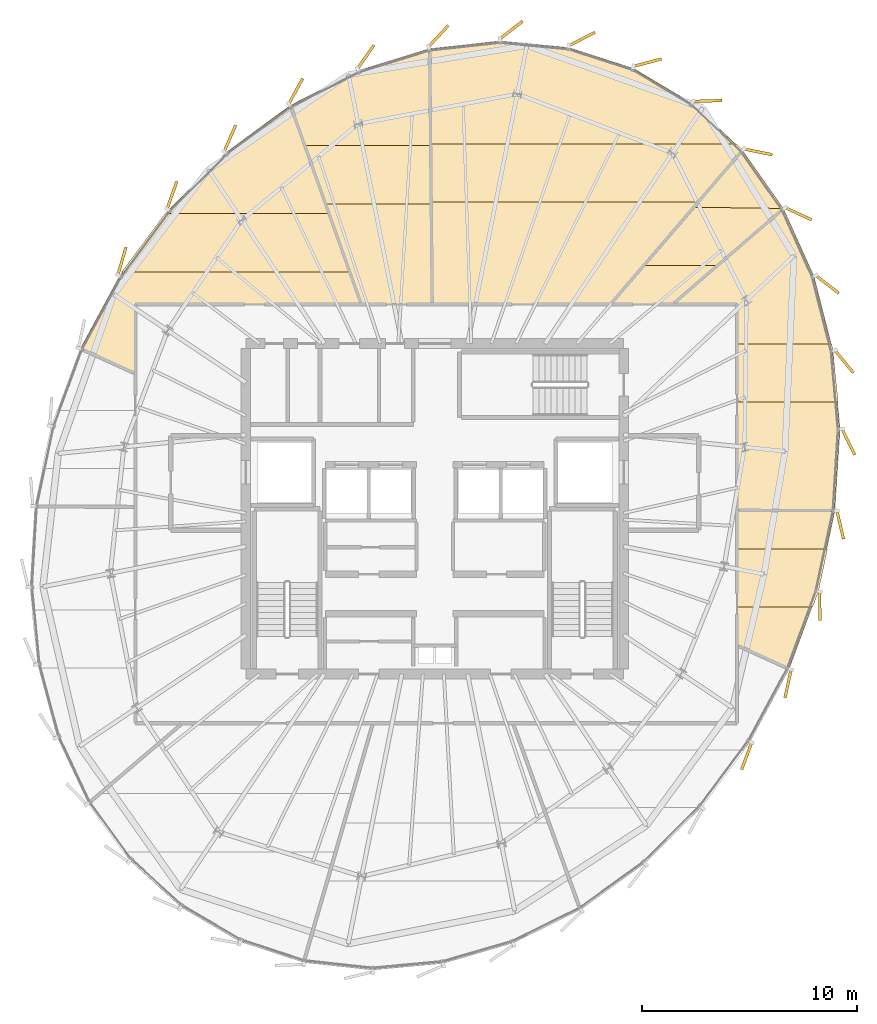
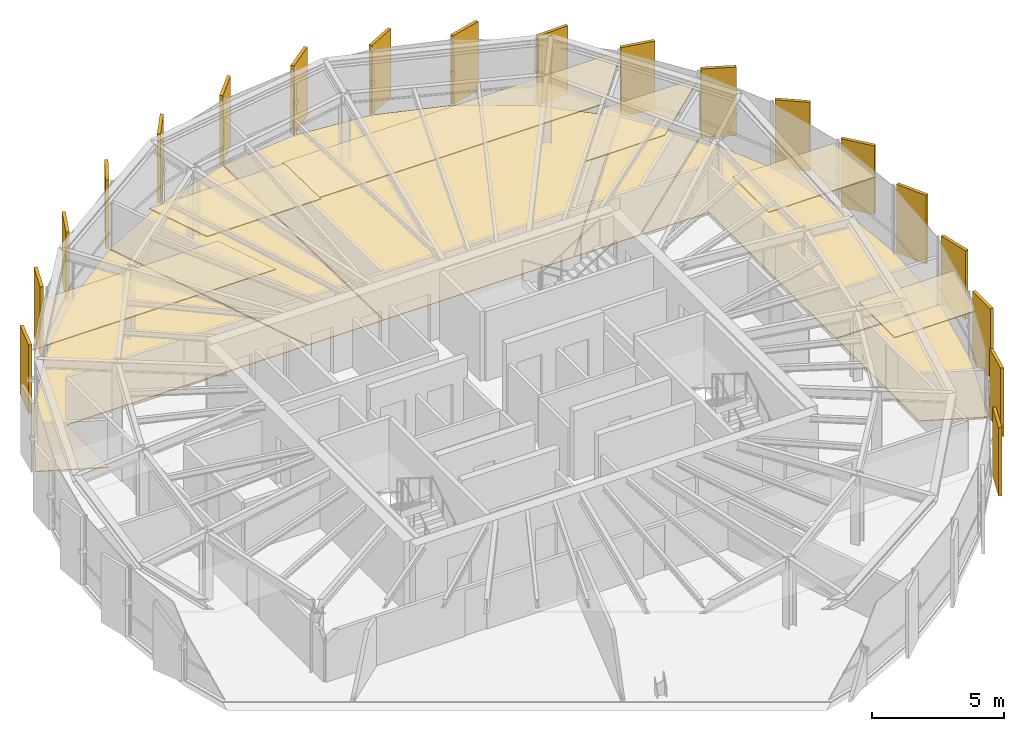
# One storey, part 30 of 30: 31 coverings.
"""IFC4 building model written with IfcOpenShell, lengths in metres."""

from ifc_helpers import new_model, si_unit, direction, frame, origin, origin_2d, place, context, subcontext, project, spatial, polyline, rectangle, outline, extrude, source, transform, mapped, material, layer, layer_set, type_object, element, save


model = new_model("IFC4")

# Units and contexts
model_context = context("Model", 3, precision=1e-05, world=origin(), true_north=direction((0.0, 1.0)))
body_context = subcontext(model_context, "Body", "Model", "MODEL_VIEW")
ifc_project = project(units=[si_unit("LENGTHUNIT", "METRE"), si_unit("AREAUNIT", "SQUARE_METRE"), si_unit("VOLUMEUNIT", "CUBIC_METRE"), si_unit("PLANEANGLEUNIT", "RADIAN"), si_unit("MASSUNIT", "GRAM", prefix="KILO"), si_unit("THERMODYNAMICTEMPERATUREUNIT", "KELVIN")], contexts=[model_context])

# Site, building, storey
site_placement = place(None, origin())
site = spatial("IfcSite", under=ifc_project, at=site_placement, CompositionType="ELEMENT")
building_placement = place(site_placement, origin())
building = spatial("IfcBuilding", under=site, at=building_placement, Name="Kethvar Cultural Tower", CompositionType="ELEMENT")
storey_placement = place(building_placement, frame((0.0, 0.0, 297.39990234375)))
storey = spatial("IfcBuildingStorey", under=building, at=storey_placement, Name="L79", CompositionType="ELEMENT", Elevation=297.39990234375)

# Coverings
ifc_material_1 = material(Name="Acoustic Mineral Fibre Ceiling")
ifc_layer_1 = layer(ifc_material_1, 0.0400390625, Name="Acoustic Mineral Fibre Ceiling")
ifc_layer_set_1 = layer_set([ifc_layer_1], Name="Acoustic Mineral Fibre Ceiling (40 mm)")
covering_type_1 = type_object("IfcCoveringType", Name="CV-ACOUSTIC-CEIL", PredefinedType="CEILING", material=ifc_layer_set_1)
covering_1_placement = place(storey_placement, frame((0.0, 0.0, 2.780029296875)))
element("IfcCovering", 1, at=covering_1_placement, inside=storey, type_object=covering_type_1, Name="L79 Room 04 Acoustic Ceiling Panel", PredefinedType="CEILING", context=body_context, shape_type="SweptSolid", body=[
    extrude(outline(polyline([(64.6806640625, 23.948974609375), (64.4140625, 23.224609375), (60.867919921875, 23.224609375), (60.867919921875, 25.9345703125), (65.102294921875, 25.9345703125), (64.6806640625, 23.948974609375)])), origin(), (0.0, 0.0, 1.0), 0.0400390625),
])
covering_2_placement = place(storey_placement, frame((0.0, 0.0, 2.780029296875)))
element("IfcCovering", 2, at=covering_2_placement, inside=storey, type_object=covering_type_1, Name="L79 Room 05 Acoustic Ceiling Panel", PredefinedType="CEILING", context=body_context, shape_type="SweptSolid", body=[
    extrude(outline(polyline([(65.30859375, 35.483642578125), (65.60205078125, 32.773681640625), (60.867919921875, 32.773681640625), (60.867919921875, 35.483642578125), (65.30859375, 35.483642578125)])), origin(), (0.0, 0.0, 1.0), 0.0400390625),
])
covering_3_placement = place(storey_placement, frame((0.0, 0.0, 2.780029296875)))
element("IfcCovering", 3, at=covering_3_placement, inside=storey, type_object=covering_type_1, Name="L79 Room 06 Acoustic Ceiling Panel", PredefinedType="CEILING", context=body_context, shape_type="SweptSolid", body=[
    extrude(outline(polyline([(63.081787109375, 41.794921875), (60.01806640625, 39.13916015625), (56.5126953125, 39.13916015625), (58.84033203125, 41.84912109375), (63.081787109375, 41.794921875)])), origin(), (0.0, 0.0, 1.0), 0.0400390625),
])
covering_4_placement = place(storey_placement, frame((0.0, 0.0, 2.780029296875)))
element("IfcCovering", 4, at=covering_4_placement, inside=storey, type_object=covering_type_1, Name="L79 Room 07 Acoustic Ceiling Panel", PredefinedType="CEILING", context=body_context, shape_type="SweptSolid", body=[
    extrude(outline(polyline([(61.164794921875, 44.5205078125), (59.105712890625, 42.0966796875), (46.60302734375, 42.0966796875), (46.569580078125, 44.806640625), (60.859375, 44.806640625), (61.164794921875, 44.5205078125)])), origin(), (0.0, 0.0, 1.0), 0.0400390625),
])
covering_5_placement = place(storey_placement, frame((0.0, 0.0, 2.780029296875)))
element("IfcCovering", 5, at=covering_5_placement, inside=storey, type_object=covering_type_1, Name="L79 Room 08 Acoustic Ceiling Panel", PredefinedType="CEILING", context=body_context, shape_type="SweptSolid", body=[
    extrude(outline(polyline([(46.644287109375, 42.006103515625), (41.67333984375, 42.006103515625), (40.69970703125, 44.71630859375), (46.610595703125, 44.71630859375), (46.644287109375, 42.006103515625)])), origin(), (0.0, 0.0, 1.0), 0.0400390625),
])
covering_6_placement = place(storey_placement, frame((0.0, 0.0, 2.780029296875)))
element("IfcCovering", 6, at=covering_6_placement, inside=storey, type_object=covering_type_1, Name="L79 Room 09 Acoustic Ceiling Panel", PredefinedType="CEILING", context=body_context, shape_type="SweptSolid", body=[
    extrude(outline(polyline([(34.22900390625, 41.549072265625), (41.880126953125, 41.549072265625), (42.85400390625, 38.839111328125), (32.215087890625, 38.839111328125), (34.22900390625, 41.549072265625)])), origin(), (0.0, 0.0, 1.0), 0.0400390625),
])
ifc_material_2 = material(Name="Honed Warm Limestone", Category="masonry")
ifc_layer_2 = layer(ifc_material_2, 0.030029296875, Name="Honed Warm Limestone", Category="masonry")
ifc_layer_set_2 = layer_set([ifc_layer_2], Name="Honed Warm Limestone (30 mm)")
covering_type_2 = type_object("IfcCoveringType", Name="CV-STONE-FLOOR", PredefinedType="FLOORING", material=ifc_layer_set_2)
covering_7_placement = place(storey_placement, origin())
element("IfcCovering", 7, at=covering_7_placement, inside=storey, type_object=covering_type_2, Name="L79 Room 04 Floor Finish", PredefinedType="FLOORING", context=body_context, shape_type="SweptSolid", body=[
    extrude(outline(polyline([(64.642578125, 23.96142578125), (63.318603515625, 20.363525390625), (60.907958984375, 21.451904296875), (60.907958984375, 27.71044921875), (65.43359375, 27.68798828125), (64.642578125, 23.96142578125)])), origin(), (0.0, 0.0, 1.0), 0.030029296875),
])
covering_8_placement = place(storey_placement, origin())
element("IfcCovering", 8, at=covering_8_placement, inside=storey, type_object=covering_type_2, Name="L79 Room 05 Floor Finish", PredefinedType="FLOORING", context=body_context, shape_type="SweptSolid", body=[
    extrude(outline(polyline([(64.465087890625, 38.629638671875), (65.349609375, 35.1611328125), (65.676513671875, 31.482421875), (65.439453125, 27.72802734375), (60.907958984375, 27.75048828125), (60.906982421875, 37.3369140625), (57.938232421875, 37.35107421875), (63.057373046875, 41.752685546875), (64.465087890625, 38.629638671875)])), origin(), (0.0, 0.0, 1.0), 0.030029296875),
])
covering_9_placement = place(storey_placement, origin())
element("IfcCovering", 9, at=covering_9_placement, inside=storey, type_object=covering_type_2, Name="L79 Room 06 Floor Finish", PredefinedType="FLOORING", context=body_context, shape_type="SweptSolid", body=[
    extrude(outline(polyline([(63.03759765625, 41.78857421875), (57.876953125, 37.35107421875), (55.029541015625, 37.35107421875), (61.148193359375, 44.474853515625), (63.03759765625, 41.78857421875)])), origin(), (0.0, 0.0, 1.0), 0.030029296875),
])
covering_10_placement = place(storey_placement, origin())
element("IfcCovering", 10, at=covering_10_placement, inside=storey, type_object=covering_type_2, Name="L79 Room 07 Floor Finish", PredefinedType="FLOORING", context=body_context, shape_type="SweptSolid", body=[
    extrude(outline(polyline([(61.1220703125, 44.505859375), (54.976806640625, 37.35107421875), (46.701904296875, 37.35107421875), (46.5546875, 49.230712890625), (49.8427734375, 49.592529296875), (53.050048828125, 49.284912109375), (56.060791015625, 48.310302734375), (58.78271484375, 46.6962890625), (61.1220703125, 44.505859375)])), origin(), (0.0, 0.0, 1.0), 0.030029296875),
])
covering_11_placement = place(storey_placement, origin())
element("IfcCovering", 11, at=covering_11_placement, inside=storey, type_object=covering_type_2, Name="L79 Room 08 Floor Finish", PredefinedType="FLOORING", context=body_context, shape_type="SweptSolid", body=[
    extrude(outline(polyline([(43.2412109375, 48.212646484375), (46.514892578125, 49.2216796875), (46.661865234375, 37.35107421875), (43.388916015625, 37.35107421875), (40.06884765625, 46.589599609375), (43.2412109375, 48.212646484375)])), origin(), (0.0, 0.0, 1.0), 0.030029296875),
])
covering_12_placement = place(storey_placement, origin())
element("IfcCovering", 12, at=covering_12_placement, inside=storey, type_object=covering_type_2, Name="L79 Room 09 Floor Finish", PredefinedType="FLOORING", context=body_context, shape_type="SweptSolid", body=[
    extrude(outline(polyline([(32.12109375, 38.6455078125), (34.4072265625, 41.7216796875), (37.0791015625, 44.394775390625), (40.0341796875, 46.5673828125), (43.346435546875, 37.35107421875), (32.84423828125, 37.35009765625), (32.830078125, 34.129638671875), (30.2978515625, 35.27294921875), (32.12109375, 38.6455078125)])), origin(), (0.0, 0.0, 1.0), 0.030029296875),
])
ifc_material_3 = material(Name="Extruded Architectural Terracotta", Category="masonry")
ifc_layer_3 = layer(ifc_material_3, 0.135009765625, Name="Extruded Architectural Terracotta", Category="masonry")
ifc_layer_set_3 = layer_set([ifc_layer_3], Name="Extruded Architectural Terracotta (135 mm)")
covering_type_3 = type_object("IfcCoveringType", Name="Terracotta Facade Fin FIN-03", PredefinedType="CLADDING", material=ifc_layer_set_3)
shared_shape = source(origin(), body_context, "Body", "SweptSolid", [
    extrude(rectangle(XDim=1.35009765625, YDim=0.135009765625, at=origin_2d()), origin(), (0.0, 0.0, 1.0), 3.169921875),
])
for number, where, z_axis, x_axis, name in (
    (13, (56.712158203125, 48.588623046875, 0.02001953125), (0.0, 0.0, 1.0), (0.966600102017, 0.256289373133, 0.0), "L79 Vertical Terracotta Fin 1.1"),
    (14, (53.6630859375, 49.69091796875, 0.02001953125), (0.0, 0.0, 1.0), (0.890768693192, 0.454456967411, 0.0), "L79 Vertical Terracotta Fin 1.2"),
    (15, (50.3662109375, 50.107177734375, 0.02001953125), (0.0, 0.0, 1.0), (0.788762337705, 0.614698279336, 0.0), "L79 Vertical Terracotta Fin 1.3"),
    (16, (46.968994140625, 49.821044921875, 0.02001953125), (0.0, 0.0, 1.0), (0.678287926333, 0.734796222766, 0.0), "L79 Vertical Terracotta Fin 1.4"),
    (17, (43.583984375, 48.855712890625, 0.02001953125), (0.0, 0.0, 1.0), (0.572861373028, 0.819652272182, 0.0), "L79 Vertical Terracotta Fin 1.5"),
    (18, (40.32080078125, 47.255859375, 0.02001953125), (0.0, 0.0, 1.0), (0.480223497443, 0.877146163706, 0.0), "L79 Vertical Terracotta Fin 1.6"),
    (19, (37.256591796875, 45.058837890625, 0.02001953125), (0.0, 0.0, 1.0), (0.40338559962, 0.915030085855, 0.0), "L79 Vertical Terracotta Fin 2.1"),
    (20, (34.55615234375, 42.41796875, 0.02001953125), (0.0, 0.0, 1.0), (0.338245229816, 0.941058002733, 0.0), "L79 Vertical Terracotta Fin 2.2"),
    (21, (32.22265625, 39.34228515625, 0.02001953125), (0.0, 0.0, 1.0), (0.279829014031, 0.960049854386, 0.0), "L79 Vertical Terracotta Fin 2.3"),
    (22, (61.332763671875, 16.277587890625, 0.02001953125), (0.0, 0.0, 1.0), (-0.348572047322, -0.937281989492, 0.0), "L79 Vertical Terracotta Fin 5.3"),
    (23, (63.262451171875, 19.649169921875, 0.02001953125), (0.0, 0.0, 1.0), (-0.211324796455, -0.977415894286, 0.0), "L79 Vertical Terracotta Fin 5.4"),
    (24, (64.74169921875, 23.264404296875, 0.02001953125), (0.0, 0.0, 1.0), (0.002617990887, -0.999996573056, 0.0), "L79 Vertical Terracotta Fin 5.5"),
    (25, (65.6923828125, 27.0458984375, 0.02001953125), (0.0, 0.0, 1.0), (0.228520788206, -0.9735390333, 0.0), "L79 Vertical Terracotta Fin 5.6"),
    (26, (66.072509765625, 30.920654296875, 0.02001953125), (0.0, 0.0, 1.0), (0.443696948396, -0.896176889896, 0.0), "L79 Vertical Terracotta Fin 6.1"),
    (27, (65.874267578125, 34.66162109375, 0.02001953125), (0.0, 0.0, 1.0), (0.632975604037, -0.774171741084, 0.0), "L79 Vertical Terracotta Fin 6.2"),
    (28, (65.09033203125, 38.255615234375, 0.02001953125), (0.0, 0.0, 1.0), (0.790261972801, -0.612769136253, 0.0), "L79 Vertical Terracotta Fin 6.3"),
    (29, (63.742919921875, 41.548828125, 0.02001953125), (0.0, 0.0, 1.0), (0.908289258312, -0.418342710268, 0.0), "L79 Vertical Terracotta Fin 6.4"),
    (30, (61.865966796875, 44.431396484375, 0.02001953125), (0.0, 0.0, 1.0), (0.979994237457, -0.199025864028, 0.0), "L79 Vertical Terracotta Fin 6.5"),
    (31, (59.51025390625, 46.802978515625, 0.02001953125), (0.0, 0.0, 1.0), (0.999478768727, 0.032282981026, 0.0), "L79 Vertical Terracotta Fin 6.6"),
):
    element("IfcCovering", number, at=place(storey_placement, frame(where, z_axis=z_axis, x_axis=x_axis)), inside=storey, type_object=covering_type_3, Name=name, PredefinedType="CLADDING", context=body_context, shape_type="MappedRepresentation", body=[
        mapped(shared_shape, transform((0.0, 0.0, 0.0), scale=1.0)),
    ])

save(model, "model.ifc")
